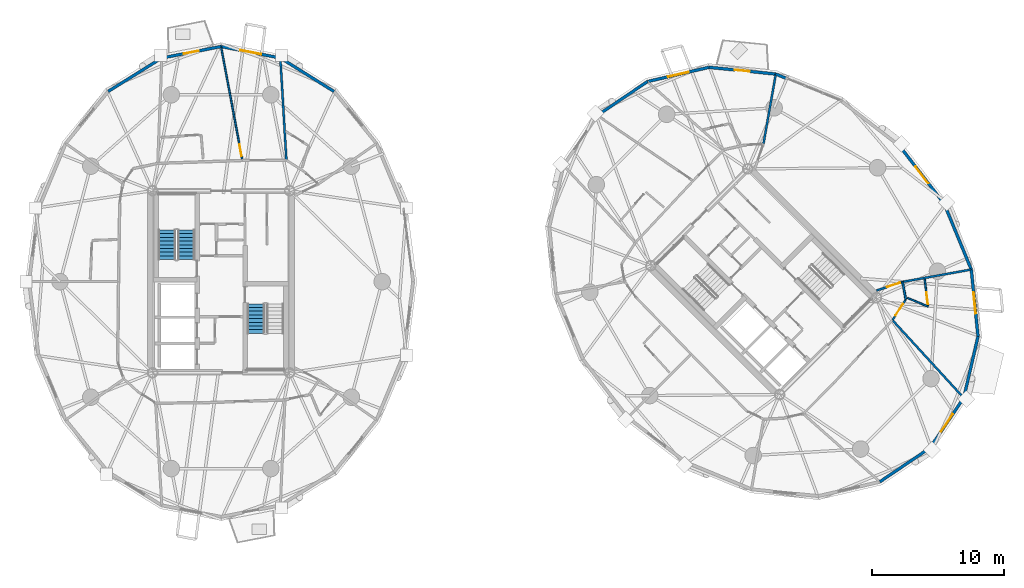
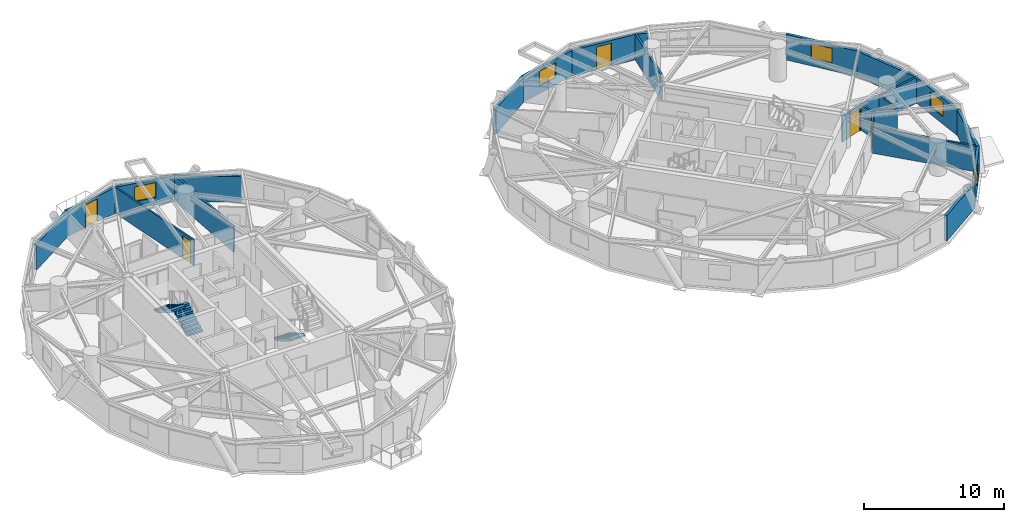
# One storey, part 15 of 19: 24 walls, 6 doors, 5 windows, 3 stair flights, 11 openings, 2 elements without a shape of their own.
"""IFC4 building model written with IfcOpenShell, lengths in metres."""

from ifc_helpers import new_model, si_unit, direction, frame, frame_2d, origin, place, context, subcontext, project, spatial, polyline, rectangle, outline, extrude, source, transform, mapped, material, layer, layer_set, type_object, element, fill, aggregate, save


model = new_model("IFC4")

# Units and contexts
model_context = context("Model", 3, precision=1e-05, world=origin(), true_north=direction((0.0, 1.0)))
body_context = subcontext(model_context, "Body", "Model", "MODEL_VIEW")
ifc_project = project(units=[si_unit("LENGTHUNIT", "METRE"), si_unit("AREAUNIT", "SQUARE_METRE"), si_unit("VOLUMEUNIT", "CUBIC_METRE"), si_unit("PLANEANGLEUNIT", "RADIAN"), si_unit("MASSUNIT", "GRAM", prefix="KILO")], contexts=[model_context])

# Site, building, storey
site_placement = place(None, origin())
site = spatial("IfcSite", under=ifc_project, at=site_placement, CompositionType="ELEMENT")
building_placement = place(site_placement, origin())
building = spatial("IfcBuilding", under=site, at=building_placement, Name="Cununo Teusaquillo Station Towers", CompositionType="ELEMENT")
storey_placement = place(building_placement, frame((0.0, 0.0, 151.60009765625)))
storey = spatial("IfcBuildingStorey", under=building, at=storey_placement, Name="L47", CompositionType="ELEMENT", Elevation=151.60009765625)

# Wall
ifc_material_1 = material(Name="Precast concrete C40/50", Category="concrete")
ifc_layer_1 = layer(ifc_material_1, 0.219970703125)
ifc_layer_set_1 = layer_set([ifc_layer_1], Name="Precast concrete C40/50")
wall_type_1 = type_object("IfcWallType", Name="WL-EXT-220", PredefinedType="SOLIDWALL", material=ifc_layer_set_1)
wall_1_placement = place(storey_placement, frame((20.9853515625, 41.400390625, 0.0), z_axis=(0.0, 0.0, 1.0), x_axis=(0.848452391194, -0.529271707044, 0.0)))
element("IfcWall", 1, at=wall_1_placement, inside=storey, type_object=wall_type_1, Name="L47 Tower A Exterior Facade Wall C03", PredefinedType="SOLIDWALL", context=body_context, shape_type="SweptSolid", body=[
    extrude(rectangle(XDim=4.76904296875, YDim=0.219970703125, at=frame_2d((2.384521484375, 0.0))), origin(), (0.0, 0.0, 1.0), 2.244873046875),
])

# Wall, opening, window
wall_2_placement = place(storey_placement, frame((16.5, 42.27001953125, 0.0), z_axis=(0.0, 0.0, 1.0), x_axis=(0.981718699963, -0.190337579429, 0.0)))
wall_2 = element("IfcWall", 2, at=wall_2_placement, inside=storey, type_object=wall_type_1, Name="L47 Tower A Exterior Facade Wall C04", PredefinedType="SOLIDWALL", context=body_context, shape_type="SweptSolid", body=[
    extrude(rectangle(XDim=4.56884765625, YDim=0.219970703125, at=frame_2d((2.284423828125, 0.0))), origin(), (0.0, 0.0, 1.0), 2.244873046875),
])
shared_shape_1 = source(origin(), body_context, "Body", "SweptSolid", [
    extrude(rectangle(XDim=1.60009765625, YDim=1.300048828125, at=frame_2d((0.800048828125, 0.64990234375))), frame((0.0, 0.119873046875, 0.0), z_axis=(0.0, -1.0, 0.0), x_axis=(1.0, 0.0, 0.0)), (0.0, 0.0, 1.0), 0.239990234375),
])
opening_1_placement = place(wall_2_placement, frame((1.48388671875, 0.0, 0.64990234375)))
opening_1 = element("IfcOpeningElement", 3, at=opening_1_placement, cuts=wall_2, Name="Opening WN-03", PredefinedType="OPENING", context=body_context, shape_type="MappedRepresentation", body=[
    mapped(shared_shape_1, transform((0.0, 0.0, 0.0), x_axis=(1.0, 0.0, 0.0), y_axis=(0.0, 1.0, 0.0), z_axis=(0.0, 0.0, 1.0), scale=1.0)),
])
ifc_material_2 = material(Name="Ceramic-fritted dark low-E double glazing", Category="glass")
window_type = type_object("IfcWindowType", Name="WIN-CORN-1600", PartitioningType="SINGLE_PANEL", PredefinedType="WINDOW", material=ifc_material_2)
shared_shape_2 = source(origin(), body_context, "Body", "SweptSolid", [
    extrude(rectangle(XDim=1.60009765625, YDim=1.300048828125, at=frame_2d((0.800048828125, 0.64990234375))), frame((0.0, 0.030029296875, 0.0), z_axis=(0.0, -1.0, 0.0), x_axis=(1.0, 0.0, 0.0)), (0.0, 0.0, 1.0), 0.06005859375),
])
window_1_placement = place(opening_1_placement, origin())
window_1 = element("IfcWindow", 4, at=window_1_placement, inside=storey, type_object=window_type, Name="L47 Tower A Facade Window C04", OverallHeight=1.300048828125, OverallWidth=1.60009765625, PartitioningType="SINGLE_PANEL", PredefinedType="WINDOW", context=body_context, shape_type="MappedRepresentation", body=[
    mapped(shared_shape_2, transform((0.0, 0.0, 0.0), x_axis=(1.0, 0.0, 0.0), y_axis=(0.0, 1.0, 0.0), z_axis=(0.0, 0.0, 1.0), scale=1.0)),
])
fill(opening_1, window_1)

# Wall, opening, door
wall_3_placement = place(storey_placement, frame((12.0146484375, 41.400390625, 0.0), z_axis=(0.0, 0.0, 1.0), x_axis=(0.981718699963, 0.190337579429, 0.0)))
wall_3 = element("IfcWall", 5, at=wall_3_placement, inside=storey, type_object=wall_type_1, Name="L47 Tower A Exterior Facade Wall C05", PredefinedType="SOLIDWALL", context=body_context, shape_type="SweptSolid", body=[
    extrude(rectangle(XDim=4.56884765625, YDim=0.219970703125, at=frame_2d((2.284423828125, 0.0))), origin(), (0.0, 0.0, 1.0), 2.244873046875),
])
shared_shape_3 = source(origin(), body_context, "Body", "SweptSolid", [
    extrude(rectangle(XDim=1.14990234375, YDim=2.0048828125, at=frame_2d((0.574951171875, 1.00244140625))), frame((0.0, 0.119873046875, 0.0), z_axis=(0.0, -1.0, 0.0), x_axis=(1.0, 0.0, 0.0)), (0.0, 0.0, 1.0), 0.239990234375),
])
opening_2_placement = place(wall_3_placement, frame((1.708984375, 0.0, 0.0)))
opening_2 = element("IfcOpeningElement", 6, at=opening_2_placement, cuts=wall_3, Name="Opening ED-03", PredefinedType="OPENING", context=body_context, shape_type="MappedRepresentation", body=[
    mapped(shared_shape_3, transform((0.0, 0.0, 0.0), x_axis=(1.0, 0.0, 0.0), y_axis=(0.0, 1.0, 0.0), z_axis=(0.0, 0.0, 1.0), scale=1.0)),
])
ifc_material_3 = material(Name="Anodised dark bronze aluminium EN AW-6063-T6", Category="aluminium")
door_type_1 = type_object("IfcDoorType", Name="DR-EXT-BAL", OperationType="NOTDEFINED", PredefinedType="DOOR", material=ifc_material_3)
shared_shape_4 = source(origin(), body_context, "Body", "SweptSolid", [
    extrude(rectangle(XDim=1.14990234375, YDim=2.0048828125, at=frame_2d((0.574951171875, 1.00244140625))), frame((0.0, 0.02490234375, 0.0), z_axis=(0.0, -1.0, 0.0), x_axis=(1.0, 0.0, 0.0)), (0.0, 0.0, 1.0), 0.050048828125),
])
door_1_placement = place(opening_2_placement, origin())
door_1 = element("IfcDoor", 7, at=door_1_placement, inside=storey, type_object=door_type_1, Name="L47 Tower A Tree Balcony Door C05", OperationType="SINGLE_SWING_LEFT", OverallHeight=2.0048828125, OverallWidth=1.14990234375, PredefinedType="DOOR", context=body_context, shape_type="MappedRepresentation", body=[
    mapped(shared_shape_4, transform((0.0, 0.0, 0.0), x_axis=(1.0, 0.0, 0.0), y_axis=(0.0, 1.0, 0.0), z_axis=(0.0, 0.0, 1.0), scale=1.0)),
])
fill(opening_2, door_1)

# Walls
wall_4_placement = place(storey_placement, frame((7.96826171875, 38.876220703125, 0.0), z_axis=(0.0, 0.0, 1.0), x_axis=(0.848452391194, 0.529271707044, 0.0)))
element("IfcWall", 8, at=wall_4_placement, inside=storey, type_object=wall_type_1, Name="L47 Tower A Exterior Facade Wall C06", PredefinedType="SOLIDWALL", context=body_context, shape_type="SweptSolid", body=[
    extrude(rectangle(XDim=4.76904296875, YDim=0.219970703125, at=frame_2d((2.384521484375, 0.0))), origin(), (0.0, 0.0, 1.0), 2.244873046875),
])
wall_5_placement = place(storey_placement, frame((58.417724609375, 40.189208984375, 0.0), z_axis=(0.0, 0.0, 1.0), x_axis=(0.924556017656, -0.381046152345, 0.0)))
element("IfcWall", 9, at=wall_5_placement, inside=storey, type_object=wall_type_1, Name="L47 Tower B Column Pier Cladding Wall C01-PA", PredefinedType="SOLIDWALL", context=body_context, shape_type="SweptSolid", body=[
    extrude(rectangle(XDim=0.8701171875, YDim=0.219970703125, at=frame_2d((0.43505859375, 0.0))), origin(), (0.0, 0.0, 1.0), 2.244873046875),
])

# Wall, opening, door
wall_6_placement = place(storey_placement, frame((53.3671875, 40.6982421875, 0.0), z_axis=(0.0, 0.0, 1.0), x_axis=(0.994959267396, -0.100279889424, 0.0)))
wall_6 = element("IfcWall", 10, at=wall_6_placement, inside=storey, type_object=wall_type_1, Name="L47 Tower B Exterior Facade Wall C02", PredefinedType="SOLIDWALL", context=body_context, shape_type="SweptSolid", body=[
    extrude(rectangle(XDim=5.076171875, YDim=0.219970703125, at=frame_2d((2.5380859375, 0.0))), origin(), (0.0, 0.0, 1.0), 2.244873046875),
])
opening_3_placement = place(wall_6_placement, frame((1.962890625, 0.0, 0.0)))
opening_3 = element("IfcOpeningElement", 11, at=opening_3_placement, cuts=wall_6, Name="Opening ED-03", PredefinedType="OPENING", context=body_context, shape_type="MappedRepresentation", body=[
    mapped(shared_shape_3, transform((0.0, 0.0, 0.0), x_axis=(1.0, 0.0, 0.0), y_axis=(0.0, 1.0, 0.0), z_axis=(0.0, 0.0, 1.0), scale=1.0)),
])
door_2_placement = place(opening_3_placement, origin())
door_2 = element("IfcDoor", 12, at=door_2_placement, inside=storey, type_object=door_type_1, Name="L47 Tower B Tree Balcony Door C02", OperationType="SINGLE_SWING_LEFT", OverallHeight=2.0048828125, OverallWidth=1.14990234375, PredefinedType="DOOR", context=body_context, shape_type="MappedRepresentation", body=[
    mapped(shared_shape_4, transform((0.0, 0.0, 0.0), x_axis=(1.0, 0.0, 0.0), y_axis=(0.0, 1.0, 0.0), z_axis=(0.0, 0.0, 1.0), scale=1.0)),
])
fill(opening_3, door_2)

# Wall, opening, window
wall_7_placement = place(storey_placement, frame((48.72119140625, 39.6220703125, 0.0), z_axis=(0.0, 0.0, 1.0), x_axis=(0.974206226622, 0.225659540039, 0.0)))
wall_7 = element("IfcWall", 13, at=wall_7_placement, inside=storey, type_object=wall_type_1, Name="L47 Tower B Exterior Facade Wall C03", PredefinedType="SOLIDWALL", context=body_context, shape_type="SweptSolid", body=[
    extrude(rectangle(XDim=4.76904296875, YDim=0.219970703125, at=frame_2d((2.384521484375, 0.0))), origin(), (0.0, 0.0, 1.0), 2.244873046875),
])
opening_4_placement = place(wall_7_placement, frame((1.5849609375, 0.0, 0.64990234375)))
opening_4 = element("IfcOpeningElement", 14, at=opening_4_placement, cuts=wall_7, Name="Opening WN-03", PredefinedType="OPENING", context=body_context, shape_type="MappedRepresentation", body=[
    mapped(shared_shape_1, transform((0.0, 0.0, 0.0), x_axis=(1.0, 0.0, 0.0), y_axis=(0.0, 1.0, 0.0), z_axis=(0.0, 0.0, 1.0), scale=1.0)),
])
window_2_placement = place(opening_4_placement, origin())
window_2 = element("IfcWindow", 15, at=window_2_placement, inside=storey, type_object=window_type, Name="L47 Tower B Facade Window C03", OverallHeight=1.300048828125, OverallWidth=1.60009765625, PartitioningType="SINGLE_PANEL", PredefinedType="WINDOW", context=body_context, shape_type="MappedRepresentation", body=[
    mapped(shared_shape_2, transform((0.0, 0.0, 0.0), x_axis=(1.0, 0.0, 0.0), y_axis=(0.0, 1.0, 0.0), z_axis=(0.0, 0.0, 1.0), scale=1.0)),
])
fill(opening_4, window_2)

# Walls
for number, where, z_axis, x_axis, name in (
    (16, (44.934814453125, 37.065185546875, 0.0), (0.0, 0.0, 1.0), (0.828739009952, 0.559635286042, 0.0), "L47 Tower B Exterior Facade Wall C04"),
    (17, (70.065185546875, 11.934814453125, 0.0), (0.0, 0.0, 1.0), (-0.828739009952, -0.559635286042, 0.0), "L47 Tower B Exterior Facade Wall C14"),
):
    element("IfcWall", number, at=place(storey_placement, frame(where, z_axis=z_axis, x_axis=x_axis)), inside=storey, type_object=wall_type_1, Name=name, PredefinedType="SOLIDWALL", context=body_context, shape_type="SweptSolid", body=[
        extrude(rectangle(XDim=4.56884765625, YDim=0.219970703125, at=frame_2d((2.284423828125, 0.0))), origin(), (0.0, 0.0, 1.0), 2.244873046875),
    ])

# Wall, opening, window
wall_8_placement = place(storey_placement, frame((72.6220703125, 15.72119140625, 0.0), z_axis=(0.0, 0.0, 1.0), x_axis=(-0.559635286042, -0.828739009952, 0.0)))
wall_8 = element("IfcWall", 18, at=wall_8_placement, inside=storey, type_object=wall_type_1, Name="L47 Tower B Exterior Facade Wall C15", PredefinedType="SOLIDWALL", context=body_context, shape_type="SweptSolid", body=[
    extrude(rectangle(XDim=4.56884765625, YDim=0.219970703125, at=frame_2d((2.284423828125, 0.0))), origin(), (0.0, 0.0, 1.0), 2.244873046875),
])
opening_5_placement = place(wall_8_placement, frame((1.48388671875, 0.0, 0.64990234375)))
opening_5 = element("IfcOpeningElement", 19, at=opening_5_placement, cuts=wall_8, Name="Opening WN-03", PredefinedType="OPENING", context=body_context, shape_type="MappedRepresentation", body=[
    mapped(shared_shape_1, transform((0.0, 0.0, 0.0), x_axis=(1.0, 0.0, 0.0), y_axis=(0.0, 1.0, 0.0), z_axis=(0.0, 0.0, 1.0), scale=1.0)),
])
window_3_placement = place(opening_5_placement, origin())
window_3 = element("IfcWindow", 20, at=window_3_placement, inside=storey, type_object=window_type, Name="L47 Tower B Facade Window C15", OverallHeight=1.300048828125, OverallWidth=1.60009765625, PartitioningType="SINGLE_PANEL", PredefinedType="WINDOW", context=body_context, shape_type="MappedRepresentation", body=[
    mapped(shared_shape_2, transform((0.0, 0.0, 0.0), x_axis=(1.0, 0.0, 0.0), y_axis=(0.0, 1.0, 0.0), z_axis=(0.0, 0.0, 1.0), scale=1.0)),
])
fill(opening_5, window_3)

# Wall
wall_9_placement = place(storey_placement, frame((73.6982421875, 20.3671875, 0.0), z_axis=(0.0, 0.0, 1.0), x_axis=(-0.225659540039, -0.974206226622, 0.0)))
element("IfcWall", 21, at=wall_9_placement, inside=storey, type_object=wall_type_1, Name="L47 Tower B Exterior Facade Wall C16", PredefinedType="SOLIDWALL", context=body_context, shape_type="SweptSolid", body=[
    extrude(rectangle(XDim=4.76904296875, YDim=0.219970703125, at=frame_2d((2.384521484375, 0.0))), origin(), (0.0, 0.0, 1.0), 2.244873046875),
])

# Wall, opening, window
wall_10_placement = place(storey_placement, frame((73.189208984375, 25.417724609375, 0.0), z_axis=(0.0, 0.0, 1.0), x_axis=(0.100279889424, -0.994959267396, 0.0)))
wall_10 = element("IfcWall", 22, at=wall_10_placement, inside=storey, type_object=wall_type_1, Name="L47 Tower B Exterior Facade Wall C17", PredefinedType="SOLIDWALL", context=body_context, shape_type="SweptSolid", body=[
    extrude(rectangle(XDim=5.076171875, YDim=0.219970703125, at=frame_2d((2.5380859375, 0.0))), origin(), (0.0, 0.0, 1.0), 2.244873046875),
])
opening_6_placement = place(wall_10_placement, frame((1.738037109375, 0.0, 0.64990234375)))
opening_6 = element("IfcOpeningElement", 23, at=opening_6_placement, cuts=wall_10, Name="Opening WN-03", PredefinedType="OPENING", context=body_context, shape_type="MappedRepresentation", body=[
    mapped(shared_shape_1, transform((0.0, 0.0, 0.0), x_axis=(1.0, 0.0, 0.0), y_axis=(0.0, 1.0, 0.0), z_axis=(0.0, 0.0, 1.0), scale=1.0)),
])
window_4_placement = place(opening_6_placement, origin())
window_4 = element("IfcWindow", 24, at=window_4_placement, inside=storey, type_object=window_type, Name="L47 Tower B Facade Window C17", OverallHeight=1.300048828125, OverallWidth=1.60009765625, PartitioningType="SINGLE_PANEL", PredefinedType="WINDOW", context=body_context, shape_type="MappedRepresentation", body=[
    mapped(shared_shape_2, transform((0.0, 0.0, 0.0), x_axis=(1.0, 0.0, 0.0), y_axis=(0.0, 1.0, 0.0), z_axis=(0.0, 0.0, 1.0), scale=1.0)),
])
fill(opening_6, window_4)

# Wall
wall_11_placement = place(storey_placement, frame((71.144287109375, 30.37841796875, 0.0), z_axis=(0.0, 0.0, 1.0), x_axis=(0.38111364655, -0.924528197738, 0.0)))
element("IfcWall", 25, at=wall_11_placement, inside=storey, type_object=wall_type_1, Name="L47 Tower B Exterior Facade Wall C18", PredefinedType="SOLIDWALL", context=body_context, shape_type="SweptSolid", body=[
    extrude(rectangle(XDim=5.36572265625, YDim=0.219970703125, at=frame_2d((2.682861328125, 0.0))), origin(), (0.0, 0.0, 1.0), 2.244873046875),
])

# Wall, opening, window
wall_12_placement = place(storey_placement, frame((67.763671875, 34.763671875, 0.0), z_axis=(0.0, 0.0, 1.0), x_axis=(0.610543584779, -0.791982658323, 0.0)))
wall_12 = element("IfcWall", 26, at=wall_12_placement, inside=storey, type_object=wall_type_1, Name="L47 Tower B Exterior Facade Wall C19", PredefinedType="SOLIDWALL", context=body_context, shape_type="SweptSolid", body=[
    extrude(rectangle(XDim=5.537109375, YDim=0.219970703125, at=frame_2d((2.7685546875, 0.0))), origin(), (0.0, 0.0, 1.0), 2.244873046875),
])
opening_7_placement = place(wall_12_placement, frame((1.968017578125, 0.0, 0.64990234375)))
opening_7 = element("IfcOpeningElement", 27, at=opening_7_placement, cuts=wall_12, Name="Opening WN-03", PredefinedType="OPENING", context=body_context, shape_type="MappedRepresentation", body=[
    mapped(shared_shape_1, transform((0.0, 0.0, 0.0), x_axis=(1.0, 0.0, 0.0), y_axis=(0.0, 1.0, 0.0), z_axis=(0.0, 0.0, 1.0), scale=1.0)),
])
window_5_placement = place(opening_7_placement, origin())
window_5 = element("IfcWindow", 28, at=window_5_placement, inside=storey, type_object=window_type, Name="L47 Tower B Facade Window C19", OverallHeight=1.300048828125, OverallWidth=1.60009765625, PartitioningType="SINGLE_PANEL", PredefinedType="WINDOW", context=body_context, shape_type="MappedRepresentation", body=[
    mapped(shared_shape_2, transform((0.0, 0.0, 0.0), x_axis=(1.0, 0.0, 0.0), y_axis=(0.0, 1.0, 0.0), z_axis=(0.0, 0.0, 1.0), scale=1.0)),
])
fill(opening_7, window_5)

# Wall, opening, door
ifc_material_4 = material(Name="Fire-rated gypsum plasterboard partition assembly", Category="gypsum")
ifc_layer_2 = layer(ifc_material_4, 0.125)
ifc_layer_set_2 = layer_set([ifc_layer_2], Name="Fire-rated gypsum plasterboard partition assembly")
wall_type_2 = type_object("IfcWallType", Name="WL-PART-125", PredefinedType="PARTITIONING", material=ifc_layer_set_2)
wall_13_placement = place(storey_placement, frame((18.1123046875, 33.659423828125, 0.0), z_axis=(0.0, 0.0, 1.0), x_axis=(-0.18446223694, 0.982839601941, 0.0)))
wall_13 = element("IfcWall", 29, at=wall_13_placement, inside=storey, type_object=wall_type_2, Name="L47 Tower A Cloud-Forest Hotel Suite Suite Subdividing Wall", PredefinedType="PARTITIONING", context=body_context, shape_type="SweptSolid", body=[
    extrude(rectangle(XDim=8.740478515625, YDim=0.125, at=frame_2d((4.3701171875, 0.0))), origin(), (0.0, 0.0, 1.0), 2.244873046875),
])
shared_shape_5 = source(origin(), body_context, "Body", "SweptSolid", [
    extrude(rectangle(XDim=0.89990234375, YDim=2.0048828125, at=frame_2d((0.449951171875, 1.00244140625))), frame((0.0, 0.072509765625, 0.0), z_axis=(0.0, -1.0, 0.0), x_axis=(1.0, 0.0, 0.0)), (0.0, 0.0, 1.0), 0.14501953125),
])
opening_8_placement = place(wall_13_placement, frame((0.330078125, 0.0, 0.0)))
opening_8 = element("IfcOpeningElement", 30, at=opening_8_placement, cuts=wall_13, Name="Opening D-IN1", PredefinedType="OPENING", context=body_context, shape_type="MappedRepresentation", body=[
    mapped(shared_shape_5, transform((0.0, 0.0, 0.0), x_axis=(1.0, 0.0, 0.0), y_axis=(0.0, 1.0, 0.0), z_axis=(0.0, 0.0, 1.0), scale=1.0)),
])
ifc_material_5 = material(Name="Acoustic solid-core hardwood leaf assembly", Category="wood")
door_type_2 = type_object("IfcDoorType", Name="DR-INT-900", OperationType="NOTDEFINED", PredefinedType="DOOR", material=ifc_material_5)
shared_shape_6 = source(origin(), body_context, "Body", "SweptSolid", [
    extrude(rectangle(XDim=0.89990234375, YDim=2.0048828125, at=frame_2d((0.449951171875, 1.00244140625))), frame((0.0, 0.02490234375, 0.0), z_axis=(0.0, -1.0, 0.0), x_axis=(1.0, 0.0, 0.0)), (0.0, 0.0, 1.0), 0.050048828125),
])
door_3_placement = place(opening_8_placement, origin())
door_3 = element("IfcDoor", 31, at=door_3_placement, inside=storey, type_object=door_type_2, Name="L47 Tower A Cloud-Forest Hotel Suite Suite Connecting Door", OperationType="SINGLE_SWING_RIGHT", OverallHeight=2.0048828125, OverallWidth=0.89990234375, PredefinedType="DOOR", context=body_context, shape_type="MappedRepresentation", body=[
    mapped(shared_shape_6, transform((0.0, 0.0, 0.0), x_axis=(1.0, 0.0, 0.0), y_axis=(0.0, 1.0, 0.0), z_axis=(0.0, 0.0, 1.0), scale=1.0)),
])
fill(opening_8, door_3)

# Wall
wall_14_placement = place(storey_placement, frame((68.366943359375, 23.270751953125, 0.0), z_axis=(0.0, 0.0, 1.0), x_axis=(0.922420747941, -0.386186436541, 0.0)))
element("IfcWall", 32, at=wall_14_placement, inside=storey, type_object=wall_type_2, Name="L47 Tower B S08 En-suite Side Wall", PredefinedType="PARTITIONING", context=body_context, shape_type="SweptSolid", body=[
    extrude(rectangle(XDim=1.69873046875, YDim=0.125, at=frame_2d((0.849365234375, 0.0))), origin(), (0.0, 0.0, 1.0), 2.31201171875),
])

# Wall, opening, door
wall_15_placement = place(storey_placement, frame((69.925537109375, 22.677734375, 0.0), z_axis=(0.0, 0.0, 1.0), x_axis=(-0.128245661315, 0.991742431458, 0.0)))
wall_15 = element("IfcWall", 33, at=wall_15_placement, inside=storey, type_object=wall_type_2, Name="L47 Tower B S08 En-suite Back Wall", PredefinedType="PARTITIONING", context=body_context, shape_type="SweptSolid", body=[
    extrude(rectangle(XDim=2.033203125, YDim=0.125, at=frame_2d((1.0166015625, 0.0))), origin(), (0.0, 0.0, 1.0), 2.31201171875),
])
opening_9_placement = place(wall_15_placement, frame((0.1201171875, 0.0, 0.0)))
opening_9 = element("IfcOpeningElement", 34, at=opening_9_placement, cuts=wall_15, Name="Opening D-IN1", PredefinedType="OPENING", context=body_context, shape_type="MappedRepresentation", body=[
    mapped(shared_shape_5, transform((0.0, 0.0, 0.0), x_axis=(1.0, 0.0, 0.0), y_axis=(0.0, 1.0, 0.0), z_axis=(0.0, 0.0, 1.0), scale=1.0)),
])
door_4_placement = place(opening_9_placement, origin())
door_4 = element("IfcDoor", 35, at=door_4_placement, inside=storey, type_object=door_type_2, Name="L47 Tower B S08 En-suite Bathroom Door", OperationType="SINGLE_SWING_LEFT", OverallHeight=2.0048828125, OverallWidth=0.89990234375, PredefinedType="DOOR", context=body_context, shape_type="MappedRepresentation", body=[
    mapped(shared_shape_6, transform((0.0, 0.0, 0.0), x_axis=(1.0, 0.0, 0.0), y_axis=(0.0, 1.0, 0.0), z_axis=(0.0, 0.0, 1.0), scale=1.0)),
])
fill(opening_9, door_4)

ifc_material_6 = material(Name="Fire-rated gypsum plasterboard partition assembly", Category="gypsum")
ifc_layer_3 = layer(ifc_material_6, 0.14990234375)
ifc_layer_set_3 = layer_set([ifc_layer_3], Name="Fire-rated gypsum plasterboard partition assembly")
wall_type_3 = type_object("IfcWallType", Name="WL-PART-150", PredefinedType="PARTITIONING", material=ifc_layer_set_3)
wall_16_placement = place(storey_placement, frame((67.22998046875, 21.59521484375, 0.0), z_axis=(0.0, 0.0, 1.0), x_axis=(0.543687770222, 0.839287560084, 0.0)))
wall_16 = element("IfcWall", 36, at=wall_16_placement, inside=storey, type_object=wall_type_3, Name="L47 Tower B Corridor Ring Wall C16", PredefinedType="PARTITIONING", context=body_context, shape_type="SweptSolid", body=[
    extrude(rectangle(XDim=1.85498046875, YDim=0.14990234375, at=frame_2d((0.927490234375, 0.0))), origin(), (0.0, 0.0, 1.0), 2.244873046875),
])
shared_shape_7 = source(origin(), body_context, "Body", "SweptSolid", [
    extrude(rectangle(XDim=1.050048828125, YDim=2.014892578125, at=frame_2d((0.52490234375, 1.00732421875))), frame((0.0, 0.0849609375, 0.0), z_axis=(0.0, -1.0, 0.0), x_axis=(1.0, 0.0, 0.0)), (0.0, 0.0, 1.0), 0.169921875),
])
opening_10_placement = place(wall_16_placement, frame((0.40234375, 0.0, 0.0)))
opening_10 = element("IfcOpeningElement", 37, at=opening_10_placement, cuts=wall_16, Name="Opening D-SU1", PredefinedType="OPENING", context=body_context, shape_type="MappedRepresentation", body=[
    mapped(shared_shape_7, transform((0.0, 0.0, 0.0), x_axis=(1.0, 0.0, 0.0), y_axis=(0.0, 1.0, 0.0), z_axis=(0.0, 0.0, 1.0), scale=1.0)),
])
ifc_material_7 = material(Name="Acoustic solid-core hardwood leaf assembly", Category="wood")
door_type_3 = type_object("IfcDoorType", Name="DR-SUITE-1050", OperationType="NOTDEFINED", PredefinedType="DOOR", material=ifc_material_7)
shared_shape_8 = source(origin(), body_context, "Body", "SweptSolid", [
    extrude(rectangle(XDim=1.050048828125, YDim=2.014892578125, at=frame_2d((0.52490234375, 1.00732421875))), frame((0.0, 0.02490234375, 0.0), z_axis=(0.0, -1.0, 0.0), x_axis=(1.0, 0.0, 0.0)), (0.0, 0.0, 1.0), 0.050048828125),
])
door_5_placement = place(opening_10_placement, origin())
door_5 = element("IfcDoor", 38, at=door_5_placement, inside=storey, type_object=door_type_3, Name="L47 Tower B Monserrate View Hotel Suite Entrance Door", OperationType="SINGLE_SWING_RIGHT", OverallHeight=2.014892578125, OverallWidth=1.050048828125, PredefinedType="DOOR", context=body_context, shape_type="MappedRepresentation", body=[
    mapped(shared_shape_8, transform((0.0, 0.0, 0.0), x_axis=(1.0, 0.0, 0.0), y_axis=(0.0, 1.0, 0.0), z_axis=(0.0, 0.0, 1.0), scale=1.0)),
])
fill(opening_10, door_5)

# Walls
wall_17_placement = place(storey_placement, frame((68.238525390625, 23.152099609375, 0.0), z_axis=(0.0, 0.0, 1.0), x_axis=(-0.177076146115, 0.984197154272, 0.0)))
element("IfcWall", 39, at=wall_17_placement, inside=storey, type_object=wall_type_3, Name="L47 Tower B Corridor Ring Wall C17", PredefinedType="PARTITIONING", context=body_context, shape_type="SweptSolid", body=[
    extrude(rectangle(XDim=1.35400390625, YDim=0.14990234375, at=frame_2d((0.677001953125, 0.0))), origin(), (0.0, 0.0, 1.0), 2.244873046875),
])
ifc_material_8 = material(Name="Fire-rated gypsum plasterboard partition assembly", Category="gypsum")
ifc_layer_4 = layer(ifc_material_8, 0.159912109375)
ifc_layer_set_4 = layer_set([ifc_layer_4], Name="Fire-rated gypsum plasterboard partition assembly")
wall_type_4 = type_object("IfcWallType", Name="WL-PART-160", PredefinedType="PARTITIONING", material=ifc_layer_set_4)
wall_18_placement = place(storey_placement, frame((21.435302734375, 33.676513671875, 0.0), z_axis=(0.0, 0.0, 1.0), x_axis=(-0.059087305226, 0.99825281886, 0.0)))
element("IfcWall", 40, at=wall_18_placement, inside=storey, type_object=wall_type_4, Name="L47 Tower A Radial Suite Partition R02", PredefinedType="PARTITIONING", context=body_context, shape_type="SweptSolid", body=[
    extrude(rectangle(XDim=7.71826171875, YDim=0.159912109375, at=frame_2d((3.859130859375, 0.0))), origin(), (0.0, 0.0, 1.0), 2.244873046875),
])
wall_19_placement = place(storey_placement, frame((57.48193359375, 34.899169921875, 0.0), z_axis=(0.0, 0.0, 1.0), x_axis=(0.174251112754, 0.98470124896, 0.0)))
element("IfcWall", 41, at=wall_19_placement, inside=storey, type_object=wall_type_4, Name="L47 Tower B Radial Suite Partition R01", PredefinedType="PARTITIONING", context=body_context, shape_type="SweptSolid", body=[
    extrude(rectangle(XDim=5.35205078125, YDim=0.159912109375, at=frame_2d((2.676025390625, 0.0))), origin(), (0.0, 0.0, 1.0), 2.244873046875),
])
wall_20_placement = place(storey_placement, frame((67.22998046875, 21.59521484375, 0.0), z_axis=(0.0, 0.0, 1.0), x_axis=(0.67560509773, -0.737263692258, 0.0)))
element("IfcWall", 42, at=wall_20_placement, inside=storey, type_object=wall_type_4, Name="L47 Tower B Radial Suite Partition R08", PredefinedType="PARTITIONING", context=body_context, shape_type="SweptSolid", body=[
    extrude(rectangle(XDim=7.954833984375, YDim=0.159912109375, at=frame_2d((3.9775390625, 0.0))), origin(), (0.0, 0.0, 1.0), 2.244873046875),
])
wall_21_placement = place(storey_placement, frame((67.998779296875, 24.484619140625, 0.0), z_axis=(0.0, 0.0, 1.0), x_axis=(0.984209402602, 0.177008055834, 0.0)))
element("IfcWall", 43, at=wall_21_placement, inside=storey, type_object=wall_type_4, Name="L47 Tower B Radial Suite Partition R09", PredefinedType="PARTITIONING", context=body_context, shape_type="SweptSolid", body=[
    extrude(rectangle(XDim=5.253662109375, YDim=0.159912109375, at=frame_2d((2.626953125, 0.0))), origin(), (0.0, 0.0, 1.0), 2.244873046875),
])

# Wall, opening, door
wall_22_placement = place(storey_placement, frame((66.0205078125, 23.828125, 0.0), z_axis=(0.0, 0.0, 1.0), x_axis=(0.949104122534, 0.314962481241, 0.0)))
wall_22 = element("IfcWall", 44, at=wall_22_placement, inside=storey, type_object=wall_type_4, Name="L47 Tower B East Salon Corridor Portal Wall SE", PredefinedType="PARTITIONING", context=body_context, shape_type="SweptSolid", body=[
    extrude(rectangle(XDim=2.08447265625, YDim=0.159912109375, at=frame_2d((1.042236328125, 0.0))), origin(), (0.0, 0.0, 1.0), 2.244873046875),
])
shared_shape_9 = source(origin(), body_context, "Body", "SweptSolid", [
    extrude(rectangle(XDim=1.050048828125, YDim=2.014892578125, at=frame_2d((0.52490234375, 1.00732421875))), frame((0.0, 0.08984375, 0.0), z_axis=(0.0, -1.0, 0.0), x_axis=(1.0, 0.0, 0.0)), (0.0, 0.0, 1.0), 0.179931640625),
])
opening_11_placement = place(wall_22_placement, frame((0.834228515625, 0.0, 0.0)))
opening_11 = element("IfcOpeningElement", 45, at=opening_11_placement, cuts=wall_22, Name="Opening D-SU1", PredefinedType="OPENING", context=body_context, shape_type="MappedRepresentation", body=[
    mapped(shared_shape_9, transform((0.0, 0.0, 0.0), x_axis=(1.0, 0.0, 0.0), y_axis=(0.0, 1.0, 0.0), z_axis=(0.0, 0.0, 1.0), scale=1.0)),
])
door_6_placement = place(opening_11_placement, origin())
door_6 = element("IfcDoor", 46, at=door_6_placement, inside=storey, type_object=door_type_3, Name="L47 Tower B East Panorama Sky Salon Door SE", OperationType="SINGLE_SWING_RIGHT", OverallHeight=2.014892578125, OverallWidth=1.050048828125, PredefinedType="DOOR", context=body_context, shape_type="MappedRepresentation", body=[
    mapped(shared_shape_8, transform((0.0, 0.0, 0.0), x_axis=(1.0, 0.0, 0.0), y_axis=(0.0, 1.0, 0.0), z_axis=(0.0, 0.0, 1.0), scale=1.0)),
])
fill(opening_11, door_6)

# Stair, stair flights
ifc_material_9 = material(Name="Concrete C50/60", Category="concrete")
stair_type = type_object("IfcStairType", Name="ST-TWR-1300", PredefinedType="HALF_TURN_STAIR", material=ifc_material_9)
stair_1_placement = place(storey_placement, origin())
stair_1 = element("IfcStair", 47, at=stair_1_placement, inside=storey, type_object=stair_type, Name="L47 Tower A Protected Core Exit Stair 1", PredefinedType="HALF_TURN_STAIR")
ifc_material_10 = material(Name="Concrete C50/60", Category="concrete")
stair_flight_type = type_object("IfcStairFlightType", Name="SFL-TWR-1300", PredefinedType="STRAIGHT", material=ifc_material_10)
stair_flight_1_placement = place(storey_placement, frame((13.8701171875, 26.169921875, 0.0), z_axis=(0.0, 0.0, 1.0), x_axis=(0.0, 1.0, 0.0)))
stair_flight_1 = element("IfcStairFlight", 48, at=stair_flight_1_placement, type_object=stair_flight_type, Name="ST-T1-1 flight 1", NumberOfRisers=9, NumberOfTreads=8, PredefinedType="STRAIGHT", RiserHeight=0.161666667, TreadLength=0.28, context=body_context, shape_type="SweptSolid", body=[
    extrude(outline(polyline([(0.0, 0.0), (0.0, 0.16162109375), (0.280029296875, 0.16162109375), (0.280029296875, 0.3232421875), (0.56005859375, 0.3232421875), (0.56005859375, 0.485107421875), (0.840087890625, 0.485107421875), (0.840087890625, 0.646728515625), (1.1201171875, 0.646728515625), (1.1201171875, 0.808349609375), (1.39990234375, 0.808349609375), (1.39990234375, 0.969970703125), (1.679931640625, 0.969970703125), (1.679931640625, 1.131591796875), (1.9599609375, 1.131591796875), (1.9599609375, 1.293212890625), (2.239990234375, 1.293212890625), (2.239990234375, 1.455078125), (2.239990234375, 1.1201171875), (0.2998046875, 0.0), (0.0, 0.0)])), frame((0.0, 0.64990234375, 0.0), z_axis=(0.0, -1.0, 0.0), x_axis=(1.0, 0.0, 0.0)), (0.0, 0.0, 1.0), 1.300048828125),
])
stair_flight_2_placement = place(storey_placement, frame((12.409912109375, 28.409912109375, 1.454833984375), z_axis=(0.0, 0.0, 1.0), x_axis=(0.0, -1.0, 0.0)))
stair_flight_2 = element("IfcStairFlight", 49, at=stair_flight_2_placement, type_object=stair_flight_type, Name="ST-T1-1 flight 2", NumberOfRisers=9, NumberOfTreads=8, PredefinedType="STRAIGHT", RiserHeight=0.161666667, TreadLength=0.28, context=body_context, shape_type="SweptSolid", body=[
    extrude(outline(polyline([(0.0, 0.0), (0.0, 0.16162109375), (0.280029296875, 0.16162109375), (0.280029296875, 0.3232421875), (0.56005859375, 0.3232421875), (0.56005859375, 0.485107421875), (0.840087890625, 0.485107421875), (0.840087890625, 0.646728515625), (1.1201171875, 0.646728515625), (1.1201171875, 0.808349609375), (1.39990234375, 0.808349609375), (1.39990234375, 0.969970703125), (1.679931640625, 0.969970703125), (1.679931640625, 1.131591796875), (1.9599609375, 1.131591796875), (1.9599609375, 1.293212890625), (2.239990234375, 1.293212890625), (2.239990234375, 1.455078125), (2.239990234375, 1.1201171875), (0.2998046875, 0.0), (0.0, 0.0)])), frame((0.0, 0.64990234375, 0.0), z_axis=(0.0, -1.0, 0.0), x_axis=(1.0, 0.0, 0.0)), (0.0, 0.0, 1.0), 1.300048828125),
])
aggregate(stair_1, [stair_flight_1, stair_flight_2])

# Stair, stair flight
stair_2_placement = place(storey_placement, origin())
stair_2 = element("IfcStair", 50, at=stair_2_placement, inside=storey, type_object=stair_type, Name="L47 Tower A Protected Core Exit Stair 2", PredefinedType="HALF_TURN_STAIR")
stair_flight_3_placement = place(storey_placement, frame((19.1298828125, 22.830078125, 0.0), z_axis=(0.0, 0.0, 1.0), x_axis=(0.0, -1.0, 0.0)))
stair_flight_3 = element("IfcStairFlight", 51, at=stair_flight_3_placement, type_object=stair_flight_type, Name="ST-T1-2 flight 1", NumberOfRisers=9, NumberOfTreads=8, PredefinedType="STRAIGHT", RiserHeight=0.161666667, TreadLength=0.28, context=body_context, shape_type="SweptSolid", body=[
    extrude(outline(polyline([(0.0, 0.0), (0.0, 0.16162109375), (0.280029296875, 0.16162109375), (0.280029296875, 0.3232421875), (0.56005859375, 0.3232421875), (0.56005859375, 0.485107421875), (0.840087890625, 0.485107421875), (0.840087890625, 0.646728515625), (1.1201171875, 0.646728515625), (1.1201171875, 0.808349609375), (1.39990234375, 0.808349609375), (1.39990234375, 0.969970703125), (1.679931640625, 0.969970703125), (1.679931640625, 1.131591796875), (1.9599609375, 1.131591796875), (1.9599609375, 1.293212890625), (2.239990234375, 1.293212890625), (2.239990234375, 1.455078125), (2.239990234375, 1.1201171875), (0.2998046875, 0.0), (0.0, 0.0)])), frame((0.0, 0.64990234375, 0.0), z_axis=(0.0, -1.0, 0.0), x_axis=(1.0, 0.0, 0.0)), (0.0, 0.0, 1.0), 1.300048828125),
])
aggregate(stair_2, [stair_flight_3])

save(model, "model.ifc")
